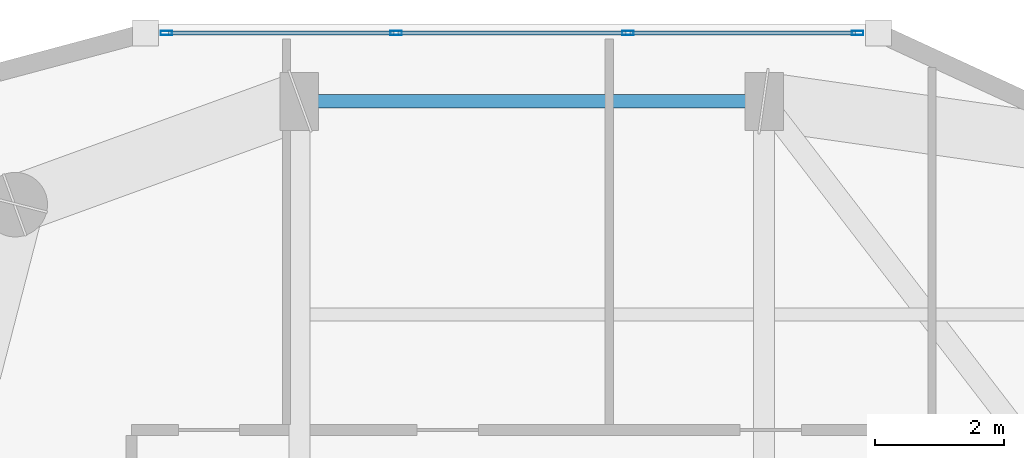
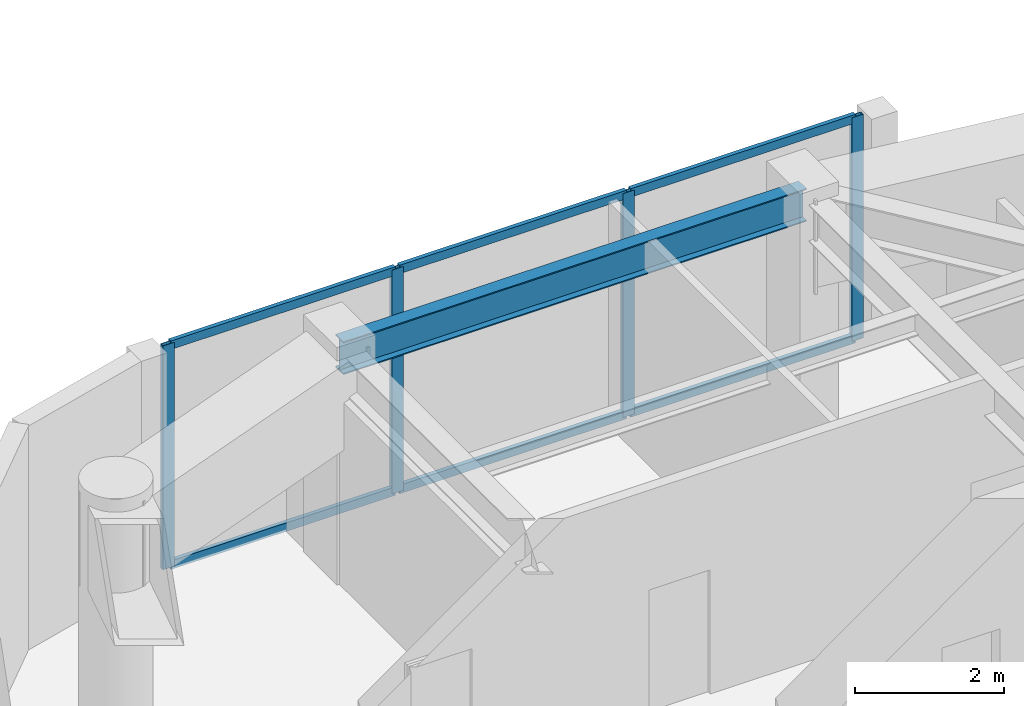
# One storey, part 6 of 15: 10 members, 1 beam, 1 element without a shape of its own.
"""IFC4 building model written with IfcOpenShell, lengths in metres."""

import ifcopenshell
import ifcopenshell.guid

model = None  # the IFC model being written
_history = None  # IfcOwnerHistory: only IFC2X3 demands one
_inside = {}  # id of a spatial element -> (the spatial element, [elements in it])
_under = {}  # id of a project, library or spatial element -> (it, [spatial elements below it])
_declared = {}  # id of a project -> (the project, [libraries it declares])
_typed = {}  # id of a type object -> (the type object, [elements of that type])
_made_of = {}  # id of a material, layer set ... -> (it, [elements and type objects made of it])


def new_model(schema):
    """Start an empty IFC model of exactly this schema.

    Asked for "IFC4X3", IfcOpenShell would pick the latest addendum, in which some entities
    have other attributes; the version numbers below select the first issue.
    IFC2X3 requires an IfcOwnerHistory on every rooted entity: one is made here for all.
    """
    global model, _history
    if schema == "IFC4X3":
        model = ifcopenshell.file(schema_version=(4, 3, 0, 0))
    else:
        model = ifcopenshell.file(schema=schema)
    _inside.clear()
    _under.clear()
    _declared.clear()
    _typed.clear()
    _made_of.clear()
    _history = None
    if model.schema == "IFC2X3":
        org = make("IfcOrganization", Name="unknown")
        user = make(
            "IfcPersonAndOrganization",
            ThePerson=make("IfcPerson", FamilyName="unknown"),
            TheOrganization=org,
        )
        app = make(
            "IfcApplication",
            ApplicationDeveloper=org,
            Version="unknown",
            ApplicationFullName="unknown",
            ApplicationIdentifier="unknown",
        )
        _history = make(
            "IfcOwnerHistory",
            OwningUser=user,
            OwningApplication=app,
            ChangeAction="ADDED",
            CreationDate=0,
        )
    return model


def make(cls, **values):
    """One entity of the class cls with the attributes given. An attribute that is None is left unset."""
    return model.create_entity(
        cls, **{name: value for name, value in values.items() if value is not None}
    )


def rooted(cls, **values):
    """An entity with a GlobalId (a new one), such as an element, a storey or a relation."""
    return make(cls, GlobalId=ifcopenshell.guid.new(), OwnerHistory=_history, **values)


def si_unit(unit_type, name, prefix=None):
    """IfcSIUnit, for example si_unit("LENGTHUNIT", "METRE", prefix="MILLI")."""
    return make("IfcSIUnit", UnitType=unit_type, Prefix=prefix, Name=name)


def assignment(units):
    """IfcUnitAssignment: the units of a project."""
    return None if units is None else make("IfcUnitAssignment", Units=units)


def point(xyz):
    """IfcCartesianPoint."""
    return None if xyz is None else make("IfcCartesianPoint", Coordinates=xyz)


def direction(xyz):
    """IfcDirection."""
    return None if xyz is None else make("IfcDirection", DirectionRatios=xyz)


def frame(location, z_axis=None, x_axis=None):
    """IfcAxis2Placement3D, a coordinate frame: its origin and axes. An axis left out is left unset."""
    return make(
        "IfcAxis2Placement3D",
        Location=point(location),
        Axis=direction(z_axis),
        RefDirection=direction(x_axis),
    )


def frame_2d(location, x_axis=None):
    """IfcAxis2Placement2D, a coordinate frame in the plane: its origin and x axis."""
    return make(
        "IfcAxis2Placement2D", Location=point(location), RefDirection=direction(x_axis)
    )


def origin():
    """The frame at (0, 0, 0) with its axes left unset."""
    return frame((0.0, 0.0, 0.0))


def origin_2d():
    """The frame at (0, 0) in the plane with its x axis left unset."""
    return frame_2d((0.0, 0.0))


def place(relative_to, where):
    """IfcLocalPlacement: puts the frame where relative to a parent placement (None: the world)."""
    return make(
        "IfcLocalPlacement", PlacementRelTo=relative_to, RelativePlacement=where
    )


def context(
    kind, dimensions, precision=None, world=None, true_north=None, identifier=None
):
    """IfcGeometricRepresentationContext, for example the 3D "Model" context."""
    return make(
        "IfcGeometricRepresentationContext",
        ContextIdentifier=identifier,
        ContextType=kind,
        CoordinateSpaceDimension=dimensions,
        Precision=precision,
        WorldCoordinateSystem=world,
        TrueNorth=true_north,
    )


def subcontext(parent, identifier, kind, view, scale=None):
    """IfcGeometricRepresentationSubContext, for example "Body" below "Model"."""
    return make(
        "IfcGeometricRepresentationSubContext",
        ContextIdentifier=identifier,
        ContextType=kind,
        ParentContext=parent,
        TargetScale=scale,
        TargetView=view,
    )


def project(units=None, contexts=None):
    """IfcProject with its units and contexts."""
    return rooted(
        "IfcProject",
        Name="project",
        RepresentationContexts=contexts,
        UnitsInContext=assignment(units),
    )


def spatial(cls, under=None, at=None, **own):
    """A site, building, storey or space (cls), placed at a placement, below another one or the project."""
    s = rooted(cls, ObjectPlacement=at, **own)
    if under is not None:
        _under.setdefault(under.id(), (under, []))[1].append(s)
    return s


def profile(cls, at=None, kind="AREA", **sizes):
    """A parametric profile (cls). Its sizes go by their IFC names, for example OverallWidth=200.0."""
    return make(cls, ProfileType=kind, Position=at, **sizes)


def hollow_rectangle(**sizes):
    """IfcRectangleHollowProfileDef."""
    return profile("IfcRectangleHollowProfileDef", **sizes)


def i_section(**sizes):
    """IfcIShapeProfileDef."""
    return profile("IfcIShapeProfileDef", **sizes)


def extrude(swept, where, along, depth):
    """IfcExtrudedAreaSolid: the profile swept, set in the frame where, extruded along a direction by depth."""
    return make(
        "IfcExtrudedAreaSolid",
        SweptArea=swept,
        Position=where,
        ExtrudedDirection=direction(along),
        Depth=depth,
    )


def shape(context_of_items, identifier, shape_type, items):
    """IfcShapeRepresentation: the items that make up one representation, for example the "Body"."""
    return make(
        "IfcShapeRepresentation",
        ContextOfItems=context_of_items,
        RepresentationIdentifier=identifier,
        RepresentationType=shape_type,
        Items=items,
    )


def material(Name=None, Category=None):
    """IfcMaterial."""
    return make("IfcMaterial", Name=Name, Category=Category)


def layer(
    of_material, thickness, ventilated=None, Name=None, Category=None, Priority=None
):
    """IfcMaterialLayer: one layer of a wall or slab, of a material (None: an air gap)."""
    return make(
        "IfcMaterialLayer",
        Material=of_material,
        LayerThickness=thickness,
        IsVentilated=ventilated,
        Name=Name,
        Category=Category,
        Priority=Priority,
    )


def layer_set(layers, Name=None):
    """IfcMaterialLayerSet."""
    return make("IfcMaterialLayerSet", MaterialLayers=layers, LayerSetName=Name)


def material_profile(
    of_material, cross_section, Name=None, Category=None, Priority=None
):
    """IfcMaterialProfile: a cross section and its material."""
    return make(
        "IfcMaterialProfile",
        Name=Name,
        Material=of_material,
        Profile=cross_section,
        Priority=Priority,
        Category=Category,
    )


def profile_set(profiles, Name=None, composite=None):
    """IfcMaterialProfileSet."""
    return make(
        "IfcMaterialProfileSet",
        Name=Name,
        MaterialProfiles=profiles,
        CompositeProfile=composite,
    )


def made_of(thing, what):
    """Note that an element or type object is made of a material, layer set ...; save() writes the relation."""
    if what is not None:
        _made_of.setdefault(what.id(), (what, []))[1].append(thing)
    return thing


def type_object(cls, material=None, **own):
    """A type object (cls), such as IfcWallType, which elements share."""
    return made_of(rooted(cls, **own), material)


def element(
    cls,
    number,
    at=None,
    inside=None,
    cuts=None,
    type_object=None,
    material=None,
    context=None,
    identifier="Body",
    shape_type=None,
    held_by="IfcProductDefinitionShape",
    body=None,
    shapes=None,
    **own,
):
    """One element of the class cls, such as IfcWall. Its Tag is "e" and its number.

    at: its placement. inside: the storey or other place that contains it. cuts: it is an
    opening in that element (IfcRelVoidsElement). A single representation is given by context,
    identifier, shape_type and body (its items); several are given by shapes. held_by: the class
    of the entity that holds the representations. save() writes the other relations.
    """
    e = rooted(cls, Tag="e%d" % number, ObjectPlacement=at, **own)
    if body is not None:
        shapes = [shape(context, identifier, shape_type, body)]
    if shapes is not None:
        e.Representation = make(held_by, Representations=shapes)
    if inside is not None:
        _inside.setdefault(inside.id(), (inside, []))[1].append(e)
    if cuts is not None:
        rooted(
            "IfcRelVoidsElement", RelatingBuildingElement=cuts, RelatedOpeningElement=e
        )
    if type_object is not None:
        _typed.setdefault(type_object.id(), (type_object, []))[1].append(e)
    return made_of(e, material)


def aggregate(whole, parts):
    """IfcRelAggregates: a whole, such as a stair, and the parts it consists of."""
    return rooted("IfcRelAggregates", RelatingObject=whole, RelatedObjects=parts)


def save(model, path):
    """Write the relations noted so far, then the file.

    IfcRelAggregates (storeys below a building ...), IfcRelContainedInSpatialStructure (elements
    in a storey), IfcRelDefinesByType, IfcRelAssociatesMaterial and IfcRelDeclares: one each for
    every whole, place, type object, material and project.
    """
    for whole, parts in _under.values():
        aggregate(whole, parts)
    for where, things in _inside.values():
        rooted(
            "IfcRelContainedInSpatialStructure",
            RelatedElements=things,
            RelatingStructure=where,
        )
    for kind, things in _typed.values():
        rooted("IfcRelDefinesByType", RelatedObjects=things, RelatingType=kind)
    for what, things in _made_of.values():
        rooted("IfcRelAssociatesMaterial", RelatedObjects=things, RelatingMaterial=what)
    for by, libraries in _declared.values():
        rooted("IfcRelDeclares", RelatingContext=by, RelatedDefinitions=libraries)
    model.write(path)


model = new_model("IFC4")

# Units and contexts
model_context = context("Model", 3, precision=1e-05, world=origin(), true_north=direction((0.0, 1.0)))
body_context = subcontext(model_context, "Body", "Model", "MODEL_VIEW")
ifc_project = project(units=[si_unit("LENGTHUNIT", "METRE"), si_unit("AREAUNIT", "SQUARE_METRE"), si_unit("VOLUMEUNIT", "CUBIC_METRE"), si_unit("PLANEANGLEUNIT", "RADIAN"), si_unit("MASSUNIT", "GRAM", prefix="KILO")], contexts=[model_context])

# Site, building, storey
site_placement = place(None, origin())
site = spatial("IfcSite", under=ifc_project, at=site_placement, CompositionType="ELEMENT")
building_placement = place(site_placement, origin())
building = spatial("IfcBuilding", under=site, at=building_placement, Name="Kiyonajd Concourse Tower", CompositionType="ELEMENT")
storey_placement = place(building_placement, frame((0.0, 0.0, 266.699951171875)))
storey = spatial("IfcBuildingStorey", under=building, at=storey_placement, Name="L67", CompositionType="ELEMENT", Elevation=266.699951171875)

# Beam
ifc_material_1 = material(Name="Steel ASTM A992 Grade 50", Category="steel")
ifc_material_profile_1 = material_profile(ifc_material_1, i_section(OverallWidth=0.2109375, OverallDepth=0.5390625, WebThickness=0.01171875, FlangeThickness=0.018798828125, at=origin_2d()), Name="W530X109")
ifc_profile_set_1 = profile_set([ifc_material_profile_1], Name="Steel ASTM A992 Grade 50")
beam_type = type_object("IfcBeamType", Name="BM-SPAN-530B", PredefinedType="SPANDREL", material=ifc_profile_set_1)
beam_placement = place(storey_placement, frame((39.60009765625, 52.199951171875, 3.41064453125), z_axis=(-1.0, 0.0, 0.0), x_axis=(0.0, -1.0, 0.0)))
element("IfcBeam", 1, at=beam_placement, inside=storey, type_object=beam_type, Name="L67 Perimeter Bundled Tube Spandrel", PredefinedType="SPANDREL", context=body_context, shape_type="SweptSolid", body=[
    extrude(i_section(OverallWidth=0.2109375, OverallDepth=0.5390625, WebThickness=0.01171875, FlangeThickness=0.018798828125, at=origin_2d()), origin(), (0.0, 0.0, 1.0), 7.2001953125),
])

# Curtain wall, members
ifc_material_2 = material(Name="Thermally Broken Anodised Aluminium", Category="aluminium")
ifc_layer = layer(ifc_material_2, 0.179931640625)
ifc_layer_set = layer_set([ifc_layer], Name="Thermally Broken Anodised Aluminium")
curtain_wall_type = type_object("IfcCurtainWallType", Name="CW-SYS-04", PredefinedType="NOTDEFINED", material=ifc_layer_set)
curtain_wall_placement = place(storey_placement, origin())
curtain_wall = element("IfcCurtainWall", 2, at=curtain_wall_placement, inside=storey, type_object=curtain_wall_type, Name="L67 Unitised Curtain Wall CW4", PredefinedType="NOTDEFINED")
ifc_material_profile_2 = material_profile(ifc_material_2, hollow_rectangle(XDim=0.06494140625, YDim=0.179931640625, WallThickness=0.00390625, at=origin_2d()), Name="MULL-65x180")
ifc_profile_set_2 = profile_set([ifc_material_profile_2], Name="Thermally Broken Anodised Aluminium")
member_type_1 = type_object("IfcMemberType", Name="MB-CW-MULL1", PredefinedType="MULLION", material=ifc_profile_set_2)
member_1_placement = place(storey_placement, frame((30.3408203125, 53.260009765625, 0.0), z_axis=(0.0, 0.0, 1.0), x_axis=(0.0, 1.0, 0.0)))
member_1 = element("IfcMember", 3, at=member_1_placement, type_object=member_type_1, Name="CW4 mullion 1", PredefinedType="MULLION", context=body_context, shape_type="SweptSolid", body=[
    extrude(hollow_rectangle(XDim=0.06494140625, YDim=0.179931640625, WallThickness=0.00390625, at=origin_2d()), origin(), (0.0, 0.0, 1.0), 3.679931640625),
])
member_2_placement = place(storey_placement, frame((33.898681640625, 53.260009765625, 0.0), z_axis=(0.0, 0.0, 1.0), x_axis=(0.0, 1.0, 0.0)))
member_2 = element("IfcMember", 4, at=member_2_placement, type_object=member_type_1, Name="CW4 mullion 2", PredefinedType="MULLION", context=body_context, shape_type="SweptSolid", body=[
    extrude(hollow_rectangle(XDim=0.06494140625, YDim=0.179931640625, WallThickness=0.00390625, at=origin_2d()), origin(), (0.0, 0.0, 1.0), 3.679931640625),
])
member_3_placement = place(storey_placement, frame((37.489013671875, 53.260009765625, 0.0), z_axis=(0.0, 0.0, 1.0), x_axis=(0.0, 1.0, 0.0)))
member_3 = element("IfcMember", 5, at=member_3_placement, type_object=member_type_1, Name="CW4 mullion 3", PredefinedType="MULLION", context=body_context, shape_type="SweptSolid", body=[
    extrude(hollow_rectangle(XDim=0.06494140625, YDim=0.179931640625, WallThickness=0.00390625, at=origin_2d()), origin(), (0.0, 0.0, 1.0), 3.679931640625),
])
member_4_placement = place(storey_placement, frame((41.046875, 53.260009765625, 0.0), z_axis=(0.0, 0.0, 1.0), x_axis=(0.0, 1.0, 0.0)))
member_4 = element("IfcMember", 6, at=member_4_placement, type_object=member_type_1, Name="CW4 mullion 4", PredefinedType="MULLION", context=body_context, shape_type="SweptSolid", body=[
    extrude(hollow_rectangle(XDim=0.06494140625, YDim=0.179931640625, WallThickness=0.00390625, at=origin_2d()), origin(), (0.0, 0.0, 1.0), 3.679931640625),
])
ifc_material_profile_3 = material_profile(ifc_material_2, hollow_rectangle(XDim=0.06494140625, YDim=0.139892578125, WallThickness=0.00390625, at=origin_2d()), Name="TRAN-65x140")
ifc_profile_set_3 = profile_set([ifc_material_profile_3], Name="Thermally Broken Anodised Aluminium")
member_type_2 = type_object("IfcMemberType", Name="MB-CW-TRAN1", PredefinedType="USERDEFINED", material=ifc_profile_set_3)
member_5_placement = place(storey_placement, frame((30.373291015625, 53.260009765625, 0.032470703125), z_axis=(1.0, 0.0, 0.0), x_axis=(0.0, 1.0, 0.0)))
member_5 = element("IfcMember", 7, at=member_5_placement, type_object=member_type_2, Name="CW4 transom 1.1", ObjectType="TRANSOM", PredefinedType="USERDEFINED", context=body_context, shape_type="SweptSolid", body=[
    extrude(hollow_rectangle(XDim=0.06494140625, YDim=0.139892578125, WallThickness=0.00390625, at=origin_2d()), origin(), (0.0, 0.0, 1.0), 3.492919921875),
])
member_6_placement = place(storey_placement, frame((30.373291015625, 53.260009765625, 3.6474609375), z_axis=(1.0, 0.0, 0.0), x_axis=(0.0, 1.0, 0.0)))
member_6 = element("IfcMember", 8, at=member_6_placement, type_object=member_type_2, Name="CW4 transom 1.2", ObjectType="TRANSOM", PredefinedType="USERDEFINED", context=body_context, shape_type="SweptSolid", body=[
    extrude(hollow_rectangle(XDim=0.06494140625, YDim=0.139892578125, WallThickness=0.00390625, at=origin_2d()), origin(), (0.0, 0.0, 1.0), 3.492919921875),
])
member_7_placement = place(storey_placement, frame((33.93115234375, 53.260009765625, 0.032470703125), z_axis=(1.0, 0.0, 0.0), x_axis=(0.0, 1.0, 0.0)))
member_7 = element("IfcMember", 9, at=member_7_placement, type_object=member_type_2, Name="CW4 transom 2.1", ObjectType="TRANSOM", PredefinedType="USERDEFINED", context=body_context, shape_type="SweptSolid", body=[
    extrude(hollow_rectangle(XDim=0.06494140625, YDim=0.139892578125, WallThickness=0.00390625, at=origin_2d()), origin(), (0.0, 0.0, 1.0), 3.525390625),
])
member_8_placement = place(storey_placement, frame((33.93115234375, 53.260009765625, 3.6474609375), z_axis=(1.0, 0.0, 0.0), x_axis=(0.0, 1.0, 0.0)))
member_8 = element("IfcMember", 10, at=member_8_placement, type_object=member_type_2, Name="CW4 transom 2.2", ObjectType="TRANSOM", PredefinedType="USERDEFINED", context=body_context, shape_type="SweptSolid", body=[
    extrude(hollow_rectangle(XDim=0.06494140625, YDim=0.139892578125, WallThickness=0.00390625, at=origin_2d()), origin(), (0.0, 0.0, 1.0), 3.525390625),
])
member_9_placement = place(storey_placement, frame((37.521484375, 53.260009765625, 0.032470703125), z_axis=(1.0, 0.0, 0.0), x_axis=(0.0, 1.0, 0.0)))
member_9 = element("IfcMember", 11, at=member_9_placement, type_object=member_type_2, Name="CW4 transom 3.1", ObjectType="TRANSOM", PredefinedType="USERDEFINED", context=body_context, shape_type="SweptSolid", body=[
    extrude(hollow_rectangle(XDim=0.06494140625, YDim=0.139892578125, WallThickness=0.00390625, at=origin_2d()), origin(), (0.0, 0.0, 1.0), 3.492919921875),
])
member_10_placement = place(storey_placement, frame((37.521484375, 53.260009765625, 3.6474609375), z_axis=(1.0, 0.0, 0.0), x_axis=(0.0, 1.0, 0.0)))
member_10 = element("IfcMember", 12, at=member_10_placement, type_object=member_type_2, Name="CW4 transom 3.2", ObjectType="TRANSOM", PredefinedType="USERDEFINED", context=body_context, shape_type="SweptSolid", body=[
    extrude(hollow_rectangle(XDim=0.06494140625, YDim=0.139892578125, WallThickness=0.00390625, at=origin_2d()), origin(), (0.0, 0.0, 1.0), 3.492919921875),
])
aggregate(curtain_wall, [member_1, member_2, member_3, member_4, member_5, member_6, member_7, member_8, member_9, member_10])

save(model, "model.ifc")
